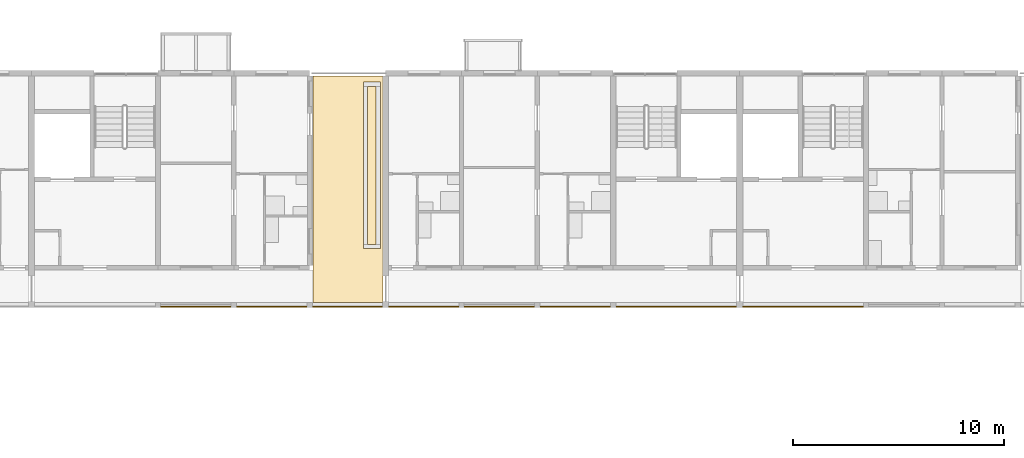
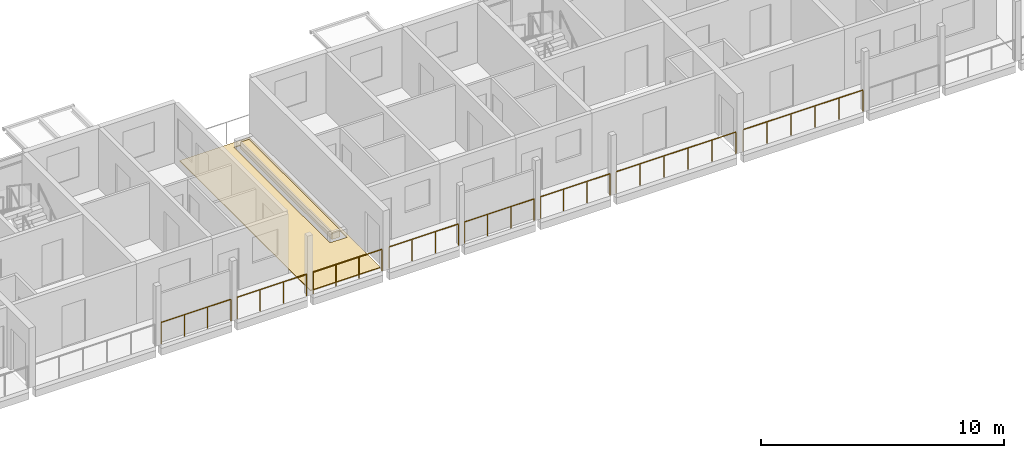
# One storey, part 89 of 94: 8 railings, 3 coverings.
"""IFC4 building model written with IfcOpenShell, lengths in metres."""

from ifc_helpers import new_model, si_unit, direction, frame, origin, origin_2d, place, context, subcontext, project, spatial, polyline, circle, outline, extrude, material, layer, layer_set, type_object, element, save


model = new_model("IFC4")

# Units and contexts
model_context = context("Model", 3, precision=1e-05, world=origin(), true_north=direction((0.0, 1.0)))
body_context = subcontext(model_context, "Body", "Model", "MODEL_VIEW")
ifc_project = project(units=[si_unit("LENGTHUNIT", "METRE"), si_unit("AREAUNIT", "SQUARE_METRE"), si_unit("VOLUMEUNIT", "CUBIC_METRE"), si_unit("PLANEANGLEUNIT", "RADIAN"), si_unit("MASSUNIT", "GRAM", prefix="KILO")], contexts=[model_context])

# Site, building, storey
site_placement = place(None, origin())
site = spatial("IfcSite", under=ifc_project, at=site_placement, CompositionType="ELEMENT")
building_placement = place(site_placement, origin())
building = spatial("IfcBuilding", under=site, at=building_placement, Name="Ridgestep Commons", CompositionType="ELEMENT")
storey_placement = place(building_placement, frame((0.0, 0.0, 21.0)))
storey = spatial("IfcBuildingStorey", under=building, at=storey_placement, Name="L07", CompositionType="ELEMENT", Elevation=21.0)

# Railings
ifc_material_1 = material(Name="Structural steel S355JR", Category="steel")
railing_type = type_object("IfcRailingType", Name="Guard 1100", PredefinedType="GUARDRAIL", material=ifc_material_1)
railing_1_placement = place(storey_placement, frame((203.345947265625, 66.050048828125, 0.0)))
element("IfcRailing", 1, at=railing_1_placement, inside=storey, type_object=railing_type, Name="Gallery guard C 07.14", PredefinedType="GUARDRAIL", context=body_context, shape_type="SweptSolid", body=[
    extrude(circle(Radius=0.02392578125, at=origin_2d()), frame((0.0, 0.0, 1.076171875), z_axis=(1.0, 0.0, 0.0), x_axis=(0.0, 1.0, 0.0)), (0.0, 0.0, 1.0), 3.30810546875),
    extrude(circle(Radius=0.02099609375, at=origin_2d()), origin(), (0.0, 0.0, 1.0), 1.052001953125),
    extrude(circle(Radius=0.02099609375, at=origin_2d()), frame((1.102783203125, 0.0, 0.0)), (0.0, 0.0, 1.0), 1.052001953125),
    extrude(circle(Radius=0.02099609375, at=origin_2d()), frame((2.205322265625, 0.0, 0.0)), (0.0, 0.0, 1.0), 1.052001953125),
    extrude(circle(Radius=0.02099609375, at=origin_2d()), frame((3.30810546875, 0.0, 0.0)), (0.0, 0.0, 1.0), 1.052001953125),
])
railing_2_placement = place(storey_placement, frame((206.946044921875, 66.050048828125, 0.0)))
element("IfcRailing", 2, at=railing_2_placement, inside=storey, type_object=railing_type, Name="Gallery guard C 07.15", PredefinedType="GUARDRAIL", context=body_context, shape_type="SweptSolid", body=[
    extrude(circle(Radius=0.02392578125, at=origin_2d()), frame((0.0, 0.0, 1.076171875), z_axis=(1.0, 0.0, 0.0), x_axis=(0.0, 1.0, 0.0)), (0.0, 0.0, 1.0), 3.307861328125),
    extrude(circle(Radius=0.02099609375, at=origin_2d()), origin(), (0.0, 0.0, 1.0), 1.052001953125),
    extrude(circle(Radius=0.02099609375, at=origin_2d()), frame((1.1025390625, 0.0, 0.0)), (0.0, 0.0, 1.0), 1.052001953125),
    extrude(circle(Radius=0.02099609375, at=origin_2d()), frame((2.205322265625, 0.0, 0.0)), (0.0, 0.0, 1.0), 1.052001953125),
    extrude(circle(Radius=0.02099609375, at=origin_2d()), frame((3.307861328125, 0.0, 0.0)), (0.0, 0.0, 1.0), 1.052001953125),
])
for number, where, name in (
    (3, (210.5458984375, 66.050048828125, 0.0), "Gallery guard C 07.16"),
    (4, (214.1708984375, 66.050048828125, 0.0), "Gallery guard C 07.17"),
):
    element("IfcRailing", number, at=place(storey_placement, frame(where)), inside=storey, type_object=railing_type, Name=name, PredefinedType="GUARDRAIL", context=body_context, shape_type="SweptSolid", body=[
        extrude(circle(Radius=0.02392578125, at=origin_2d()), frame((0.0, 0.0, 1.076171875), z_axis=(1.0, 0.0, 0.0), x_axis=(0.0, 1.0, 0.0)), (0.0, 0.0, 1.0), 3.283203125),
        extrude(circle(Radius=0.02099609375, at=origin_2d()), origin(), (0.0, 0.0, 1.0), 1.052001953125),
        extrude(circle(Radius=0.02099609375, at=origin_2d()), frame((1.094482421875, 0.0, 0.0)), (0.0, 0.0, 1.0), 1.052001953125),
        extrude(circle(Radius=0.02099609375, at=origin_2d()), frame((2.188720703125, 0.0, 0.0)), (0.0, 0.0, 1.0), 1.052001953125),
        extrude(circle(Radius=0.02099609375, at=origin_2d()), frame((3.283203125, 0.0, 0.0)), (0.0, 0.0, 1.0), 1.052001953125),
    ])
railing_3_placement = place(storey_placement, frame((217.74609375, 66.050048828125, 0.0)))
element("IfcRailing", 5, at=railing_3_placement, inside=storey, type_object=railing_type, Name="Gallery guard C 07.18", PredefinedType="GUARDRAIL", context=body_context, shape_type="SweptSolid", body=[
    extrude(circle(Radius=0.02392578125, at=origin_2d()), frame((0.0, 0.0, 1.076171875), z_axis=(1.0, 0.0, 0.0), x_axis=(0.0, 1.0, 0.0)), (0.0, 0.0, 1.0), 3.307861328125),
    extrude(circle(Radius=0.02099609375, at=origin_2d()), origin(), (0.0, 0.0, 1.0), 1.052001953125),
    extrude(circle(Radius=0.02099609375, at=origin_2d()), frame((1.1025390625, 0.0, 0.0)), (0.0, 0.0, 1.0), 1.052001953125),
    extrude(circle(Radius=0.02099609375, at=origin_2d()), frame((2.205322265625, 0.0, 0.0)), (0.0, 0.0, 1.0), 1.052001953125),
    extrude(circle(Radius=0.02099609375, at=origin_2d()), frame((3.307861328125, 0.0, 0.0)), (0.0, 0.0, 1.0), 1.052001953125),
])
railing_4_placement = place(storey_placement, frame((221.345947265625, 66.050048828125, 0.0)))
element("IfcRailing", 6, at=railing_4_placement, inside=storey, type_object=railing_type, Name="Gallery guard C 07.19", PredefinedType="GUARDRAIL", context=body_context, shape_type="SweptSolid", body=[
    extrude(circle(Radius=0.02392578125, at=origin_2d()), frame((0.0, 0.0, 1.076171875), z_axis=(1.0, 0.0, 0.0), x_axis=(0.0, 1.0, 0.0)), (0.0, 0.0, 1.0), 3.30810546875),
    extrude(circle(Radius=0.02099609375, at=origin_2d()), origin(), (0.0, 0.0, 1.0), 1.052001953125),
    extrude(circle(Radius=0.02099609375, at=origin_2d()), frame((1.102783203125, 0.0, 0.0)), (0.0, 0.0, 1.0), 1.052001953125),
    extrude(circle(Radius=0.02099609375, at=origin_2d()), frame((2.205322265625, 0.0, 0.0)), (0.0, 0.0, 1.0), 1.052001953125),
    extrude(circle(Radius=0.02099609375, at=origin_2d()), frame((3.30810546875, 0.0, 0.0)), (0.0, 0.0, 1.0), 1.052001953125),
])
railing_5_placement = place(storey_placement, frame((224.946044921875, 66.050048828125, 0.0)))
element("IfcRailing", 7, at=railing_5_placement, inside=storey, type_object=railing_type, Name="Gallery guard C 07.20", PredefinedType="GUARDRAIL", context=body_context, shape_type="SweptSolid", body=[
    extrude(circle(Radius=0.02392578125, at=origin_2d()), frame((0.0, 0.0, 1.076171875), z_axis=(1.0, 0.0, 0.0), x_axis=(0.0, 1.0, 0.0)), (0.0, 0.0, 1.0), 5.682861328125),
    extrude(circle(Radius=0.02099609375, at=origin_2d()), origin(), (0.0, 0.0, 1.0), 1.052001953125),
    extrude(circle(Radius=0.02099609375, at=origin_2d()), frame((1.136474609375, 0.0, 0.0)), (0.0, 0.0, 1.0), 1.052001953125),
    extrude(circle(Radius=0.02099609375, at=origin_2d()), frame((2.273193359375, 0.0, 0.0)), (0.0, 0.0, 1.0), 1.052001953125),
    extrude(circle(Radius=0.02099609375, at=origin_2d()), frame((3.40966796875, 0.0, 0.0)), (0.0, 0.0, 1.0), 1.052001953125),
    extrude(circle(Radius=0.02099609375, at=origin_2d()), frame((4.54638671875, 0.0, 0.0)), (0.0, 0.0, 1.0), 1.052001953125),
    extrude(circle(Radius=0.02099609375, at=origin_2d()), frame((5.682861328125, 0.0, 0.0)), (0.0, 0.0, 1.0), 1.052001953125),
])
railing_6_placement = place(storey_placement, frame((230.970947265625, 66.050048828125, 0.0)))
element("IfcRailing", 8, at=railing_6_placement, inside=storey, type_object=railing_type, Name="Gallery guard C 07.21", PredefinedType="GUARDRAIL", context=body_context, shape_type="SweptSolid", body=[
    extrude(circle(Radius=0.02392578125, at=origin_2d()), frame((0.0, 0.0, 1.076171875), z_axis=(1.0, 0.0, 0.0), x_axis=(0.0, 1.0, 0.0)), (0.0, 0.0, 1.0), 5.68310546875),
    extrude(circle(Radius=0.02099609375, at=origin_2d()), origin(), (0.0, 0.0, 1.0), 1.052001953125),
    extrude(circle(Radius=0.02099609375, at=origin_2d()), frame((1.13671875, 0.0, 0.0)), (0.0, 0.0, 1.0), 1.052001953125),
    extrude(circle(Radius=0.02099609375, at=origin_2d()), frame((2.273193359375, 0.0, 0.0)), (0.0, 0.0, 1.0), 1.052001953125),
    extrude(circle(Radius=0.02099609375, at=origin_2d()), frame((3.409912109375, 0.0, 0.0)), (0.0, 0.0, 1.0), 1.052001953125),
    extrude(circle(Radius=0.02099609375, at=origin_2d()), frame((4.54638671875, 0.0, 0.0)), (0.0, 0.0, 1.0), 1.052001953125),
    extrude(circle(Radius=0.02099609375, at=origin_2d()), frame((5.68310546875, 0.0, 0.0)), (0.0, 0.0, 1.0), 1.052001953125),
])

# Coverings
ifc_material_2 = material(Name="Planting soil")
ifc_layer_1 = layer(ifc_material_2, 0.35009765625)
ifc_layer_set_1 = layer_set([ifc_layer_1], Name="Planting soil 350")
covering_type_1 = type_object("IfcCoveringType", Name="Planting soil 350", PredefinedType="FLOORING", material=ifc_layer_set_1)
covering_1_placement = place(storey_placement, frame((0.0, 0.0, 0.010009765625)))
element("IfcCovering", 9, at=covering_1_placement, inside=storey, type_object=covering_type_1, Name="Planting soil C4R1", PredefinedType="FLOORING", context=body_context, shape_type="SweptSolid", body=[
    extrude(outline(polyline([(213.14990234375, 69.0), (213.550048828125, 69.0), (213.550048828125, 76.5), (213.14990234375, 76.5), (213.14990234375, 69.0)])), origin(), (0.0, 0.0, 1.0), 0.35009765625),
])
ifc_material_3 = material(Name="Bitumen membrane, two layer")
ifc_layer_2 = layer(ifc_material_3, 0.010009765625)
ifc_layer_set_2 = layer_set([ifc_layer_2], Name="Terrace membrane 10")
covering_type_2 = type_object("IfcCoveringType", Name="Terrace membrane 10", PredefinedType="ROOFING", material=ifc_layer_set_2)
covering_2_placement = place(storey_placement, origin())
element("IfcCovering", 10, at=covering_2_placement, inside=storey, type_object=covering_type_2, Name="Terrace membrane C4R1", PredefinedType="ROOFING", context=body_context, shape_type="SweptSolid", body=[
    extrude(outline(polyline([(213.875, 66.25), (213.875, 77.0), (210.550048828125, 77.0), (210.550048828125, 66.25), (213.875, 66.25)]), holes=[polyline([(213.75, 68.800048828125), (213.75, 76.699951171875), (212.949951171875, 76.699951171875), (212.949951171875, 68.800048828125), (213.75, 68.800048828125)])]), origin(), (0.0, 0.0, 1.0), 0.010009765625),
])
ifc_material_4 = material(Name="Concrete paving slab", Category="concrete")
ifc_layer_3 = layer(ifc_material_4, 0.030029296875)
ifc_layer_set_3 = layer_set([ifc_layer_3], Name="Terrace paving 30")
covering_type_3 = type_object("IfcCoveringType", Name="Terrace paving 30", PredefinedType="FLOORING", material=ifc_layer_set_3)
covering_3_placement = place(storey_placement, frame((0.0, 0.0, 0.010009765625)))
element("IfcCovering", 11, at=covering_3_placement, inside=storey, type_object=covering_type_3, Name="Terrace paving C4R1", PredefinedType="FLOORING", context=body_context, shape_type="SweptSolid", body=[
    extrude(outline(polyline([(213.875, 66.25), (213.875, 77.0), (210.550048828125, 77.0), (210.550048828125, 66.25), (213.875, 66.25)]), holes=[polyline([(213.75, 68.800048828125), (213.75, 76.699951171875), (212.949951171875, 76.699951171875), (212.949951171875, 68.800048828125), (213.75, 68.800048828125)])]), origin(), (0.0, 0.0, 1.0), 0.030029296875),
])

save(model, "model.ifc")
